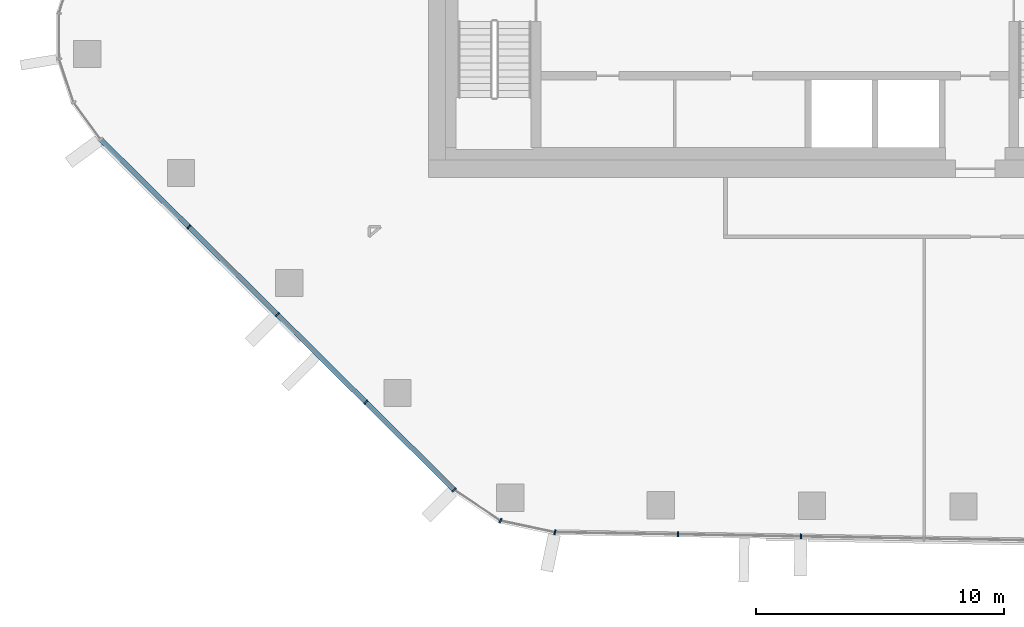
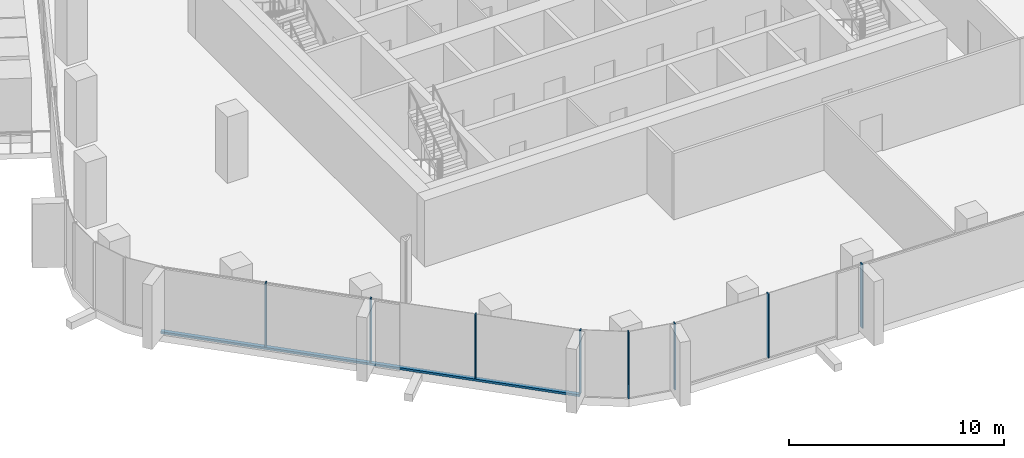
# One storey, part 2 of 21: 9 members, 3 elements without a shape of their own.
"""IFC4 building model written with IfcOpenShell, lengths in metres."""

from ifc_helpers import new_model, si_unit, direction, frame, origin, origin_2d, place, context, subcontext, project, spatial, rectangle, extrude, material, layer, layer_set, material_profile, profile_set, type_object, element, aggregate, save


model = new_model("IFC4")

# Units and contexts
model_context = context("Model", 3, precision=1e-05, world=origin(), true_north=direction((0.0, 1.0)))
body_context = subcontext(model_context, "Body", "Model", "MODEL_VIEW")
ifc_project = project(units=[si_unit("LENGTHUNIT", "METRE"), si_unit("AREAUNIT", "SQUARE_METRE"), si_unit("VOLUMEUNIT", "CUBIC_METRE"), si_unit("PLANEANGLEUNIT", "RADIAN"), si_unit("MASSUNIT", "GRAM", prefix="KILO")], contexts=[model_context])

# Site, building, storey
site_placement = place(None, origin())
site = spatial("IfcSite", under=ifc_project, at=site_placement, CompositionType="ELEMENT")
building_placement = place(site_placement, origin())
building = spatial("IfcBuilding", under=site, at=building_placement, Name="Dongbaek Canopy Tower", CompositionType="ELEMENT")
storey_placement = place(building_placement, frame((0.0, 0.0, 232.800048828125)))
storey = spatial("IfcBuildingStorey", under=building, at=storey_placement, Name="L48", CompositionType="ELEMENT", Elevation=232.800048828125)

# Curtain wall, members
ifc_material_1 = material(Name="Aluminium 6063-T6 pale anodised", Category="aluminium")
ifc_layer = layer(ifc_material_1, 0.199951171875)
ifc_layer_set = layer_set([ifc_layer], Name="CW-1 unitised tower curtain wall")
curtain_wall_type = type_object("IfcCurtainWallType", Name="CW-1 unitised tower curtain wall", PredefinedType="NOTDEFINED", material=ifc_layer_set)
curtain_wall_1_placement = place(storey_placement, origin())
curtain_wall_1 = element("IfcCurtainWall", 1, at=curtain_wall_1_placement, inside=storey, type_object=curtain_wall_type, Name="CW-1 curtain wall F3.1", PredefinedType="NOTDEFINED")
ifc_material_2 = material(Name="Aluminium 6063-T6 pale anodised", Category="aluminium")
ifc_material_profile_1 = material_profile(ifc_material_2, rectangle(XDim=0.199951171875, YDim=0.06005859375, at=origin_2d()), Name="CW-1 mullion 60 x 200")
ifc_profile_set_1 = profile_set([ifc_material_profile_1], Name="Aluminium 6063-T6 pale anodised")
member_type_1 = type_object("IfcMemberType", Name="CW-1 mullion 60 x 200", PredefinedType="MULLION", material=ifc_profile_set_1)
member_1_placement = place(storey_placement, frame((-23.6748046875, -13.00146484375, 0.119873046875), z_axis=(0.0, 0.0, 1.0), x_axis=(-0.704037952942, -0.710162348211, 0.0)))
member_1 = element("IfcMember", 2, at=member_1_placement, type_object=member_type_1, Name="CW-1 mullion F3.1.2", PredefinedType="MULLION", context=body_context, shape_type="SweptSolid", body=[
    extrude(rectangle(XDim=0.199951171875, YDim=0.06005859375, at=origin_2d()), origin(), (0.0, 0.0, 1.0), 3.630126953125),
])
member_2_placement = place(storey_placement, frame((-20.10009765625, -16.54541015625, 0.119873046875), z_axis=(0.0, 0.0, 1.0), x_axis=(-0.704037952942, -0.710162348211, 0.0)))
member_2 = element("IfcMember", 3, at=member_2_placement, type_object=member_type_1, Name="CW-1 mullion F3.1.3", PredefinedType="MULLION", context=body_context, shape_type="SweptSolid", body=[
    extrude(rectangle(XDim=0.199951171875, YDim=0.06005859375, at=origin_2d()), origin(), (0.0, 0.0, 1.0), 3.630126953125),
])
member_3_placement = place(storey_placement, frame((-16.525390625, -20.089111328125, 0.119873046875), z_axis=(0.0, 0.0, 1.0), x_axis=(-0.704037952942, -0.710162348211, 0.0)))
member_3 = element("IfcMember", 4, at=member_3_placement, type_object=member_type_1, Name="CW-1 mullion F3.1.4", PredefinedType="MULLION", context=body_context, shape_type="SweptSolid", body=[
    extrude(rectangle(XDim=0.199951171875, YDim=0.06005859375, at=origin_2d()), origin(), (0.0, 0.0, 1.0), 3.630126953125),
])
member_4_placement = place(storey_placement, frame((-12.957763671875, -23.626220703125, 0.119873046875), z_axis=(0.0, 0.0, 1.0), x_axis=(-0.704037952942, -0.710162348211, 0.0)))
member_4 = element("IfcMember", 5, at=member_4_placement, type_object=member_type_1, Name="CW-1 mullion F3.1.5", PredefinedType="MULLION", context=body_context, shape_type="SweptSolid", body=[
    extrude(rectangle(XDim=0.199951171875, YDim=0.06005859375, at=origin_2d()), origin(), (0.0, 0.0, 1.0), 3.630126953125),
])

curtain_wall_2_placement = place(storey_placement, origin())
curtain_wall_2 = element("IfcCurtainWall", 6, at=curtain_wall_2_placement, inside=storey, type_object=curtain_wall_type, Name="CW-1 curtain wall K4.1", PredefinedType="NOTDEFINED")
member_5_placement = place(storey_placement, frame((-11.088623046875, -24.877685546875, 0.0), z_axis=(0.0, 0.0, 1.0), x_axis=(-0.388525428592, -0.921438001896, 0.0)))
member_5 = element("IfcMember", 7, at=member_5_placement, type_object=member_type_1, Name="CW-1 mullion K4.1.2", PredefinedType="MULLION", context=body_context, shape_type="SweptSolid", body=[
    extrude(rectangle(XDim=0.199951171875, YDim=0.06005859375, at=origin_2d()), origin(), (0.0, 0.0, 1.0), 3.75),
])
member_6_placement = place(storey_placement, frame((-8.8876953125, -25.34228515625, 0.0), z_axis=(0.0, 0.0, 1.0), x_axis=(-0.206515518802, -0.978443325131, 0.0)))
member_6 = element("IfcMember", 8, at=member_6_placement, type_object=member_type_1, Name="CW-1 mullion K4.1.3", PredefinedType="MULLION", context=body_context, shape_type="SweptSolid", body=[
    extrude(rectangle(XDim=0.199951171875, YDim=0.06005859375, at=origin_2d()), origin(), (0.0, 0.0, 1.0), 3.75),
])
aggregate(curtain_wall_2, [member_5, member_6])

curtain_wall_3_placement = place(storey_placement, origin())
curtain_wall_3 = element("IfcCurtainWall", 9, at=curtain_wall_3_placement, inside=storey, type_object=curtain_wall_type, Name="CW-1 curtain wall F4.1", PredefinedType="NOTDEFINED")
member_7_placement = place(storey_placement, frame((-3.923095703125, -25.4267578125, 0.119873046875), z_axis=(0.0, 0.0, 1.0), x_axis=(-0.016993149743, -0.999855606006, 0.0)))
member_7 = element("IfcMember", 10, at=member_7_placement, type_object=member_type_1, Name="CW-1 mullion F4.1.2", PredefinedType="MULLION", context=body_context, shape_type="SweptSolid", body=[
    extrude(rectangle(XDim=0.199951171875, YDim=0.06005859375, at=origin_2d()), origin(), (0.0, 0.0, 1.0), 3.630126953125),
])
member_8_placement = place(storey_placement, frame((1.05126953125, -25.51123046875, 0.119873046875), z_axis=(0.0, 0.0, 1.0), x_axis=(-0.016993149743, -0.999855606006, 0.0)))
member_8 = element("IfcMember", 11, at=member_8_placement, type_object=member_type_1, Name="CW-1 mullion F4.1.3", PredefinedType="MULLION", context=body_context, shape_type="SweptSolid", body=[
    extrude(rectangle(XDim=0.199951171875, YDim=0.06005859375, at=origin_2d()), origin(), (0.0, 0.0, 1.0), 3.630126953125),
])
aggregate(curtain_wall_3, [member_7, member_8])

# Member
ifc_material_3 = material(Name="Aluminium 6063-T6 pale anodised", Category="aluminium")
ifc_material_profile_2 = material_profile(ifc_material_3, rectangle(XDim=0.199951171875, YDim=0.1201171875, at=origin_2d()), Name="CW-1 transom 120 x 200")
ifc_profile_set_2 = profile_set([ifc_material_profile_2], Name="Aluminium 6063-T6 pale anodised")
member_type_2 = type_object("IfcMemberType", Name="CW-1 transom 120 x 200", PredefinedType="USERDEFINED", material=ifc_profile_set_2)
member_9_placement = place(storey_placement, frame((-27.24365234375, -9.46337890625, 0.06005859375), z_axis=(0.710158527416, -0.704041806954, 0.0), x_axis=(0.704041806954, 0.710158527416, 0.0)))
member_9 = element("IfcMember", 12, at=member_9_placement, type_object=member_type_2, Name="CW-1 transom F3.1.1", ObjectType="TRANSOM", PredefinedType="USERDEFINED", context=body_context, shape_type="SweptSolid", body=[
    extrude(rectangle(XDim=0.199951171875, YDim=0.1201171875, at=origin_2d()), origin(), (0.0, 0.0, 1.0), 20.116455078125),
])

aggregate(curtain_wall_1, [member_1, member_2, member_3, member_4, member_9])

save(model, "model.ifc")
